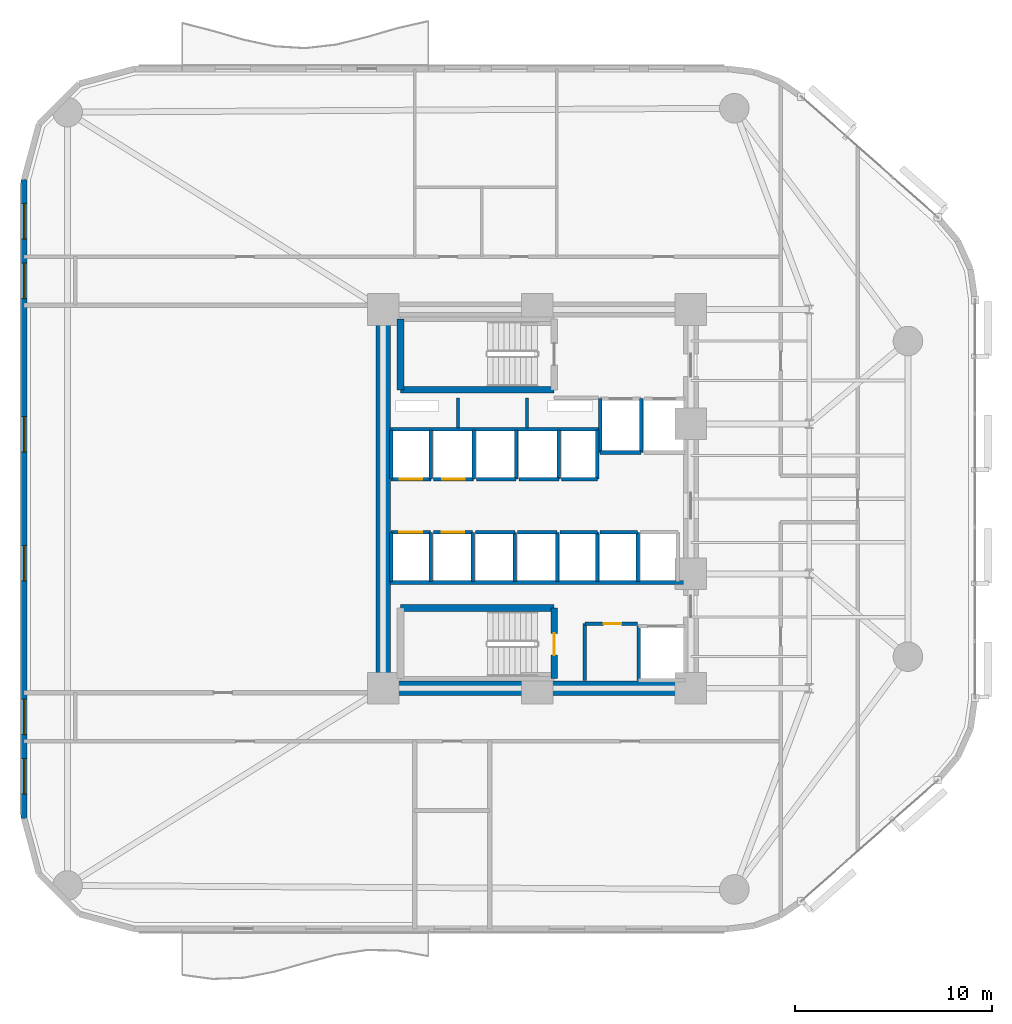
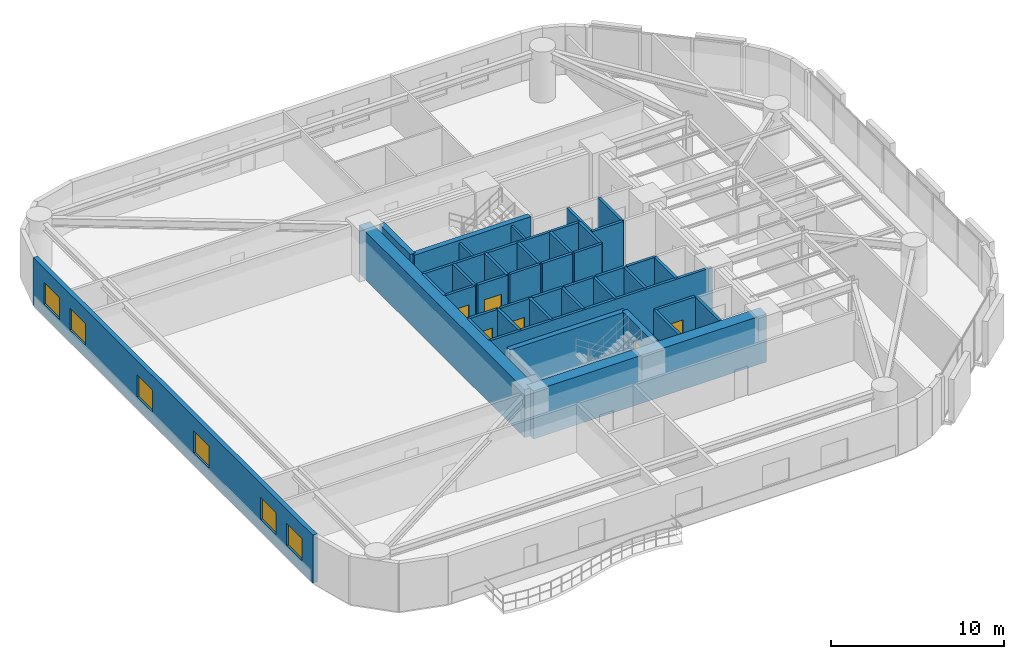
# One storey, part 10 of 15: 41 walls, 6 doors, 6 windows, 12 openings.
"""IFC4 building model written with IfcOpenShell, lengths in metres."""

from ifc_helpers import new_model, si_unit, direction, frame, frame_2d, origin, place, context, subcontext, project, spatial, rectangle, extrude, material, layer, layer_set, type_object, element, fill, save


model = new_model("IFC4")

# Units and contexts
model_context = context("Model", 3, precision=1e-05, world=origin(), true_north=direction((0.0, 1.0)))
body_context = subcontext(model_context, "Body", "Model", "MODEL_VIEW")
ifc_project = project(units=[si_unit("LENGTHUNIT", "METRE"), si_unit("AREAUNIT", "SQUARE_METRE"), si_unit("VOLUMEUNIT", "CUBIC_METRE"), si_unit("PLANEANGLEUNIT", "RADIAN"), si_unit("MASSUNIT", "GRAM", prefix="KILO")], contexts=[model_context])

# Site, building, storey
site_placement = place(None, origin())
site = spatial("IfcSite", under=ifc_project, at=site_placement, CompositionType="ELEMENT")
building_placement = place(site_placement, origin())
building = spatial("IfcBuilding", under=site, at=building_placement, Name="An Khanh Terracotta Commons", CompositionType="ELEMENT")
storey_placement = place(building_placement, frame((0.0, 0.0, 64.800048828125)))
storey = spatial("IfcBuildingStorey", under=building, at=storey_placement, Name="L17", CompositionType="ELEMENT", Elevation=64.800048828125)

# Walls
ifc_material_1 = material(Name="Concrete C70/85", Category="concrete")
ifc_layer_1 = layer(ifc_material_1, 0.75, Name="Concrete C70/85")
ifc_layer_set_1 = layer_set([ifc_layer_1], Name="Concrete C70/85")
wall_type_1 = type_object("IfcWallType", Name="WALL-CORE-750", PredefinedType="SHEAR", material=ifc_layer_set_1)
wall_1_placement = place(storey_placement, frame((21.60009765625, 14.39990234375, 0.0), z_axis=(0.0, 0.0, 1.0), x_axis=(0.0, 1.0, 0.0)))
element("IfcWall", 1, at=wall_1_placement, inside=storey, type_object=wall_type_1, Name="L17 Core Wall CWALL-L17-W", PredefinedType="SHEAR", context=body_context, shape_type="SweptSolid", body=[
    extrude(rectangle(XDim=19.2001953125, YDim=0.75, at=frame_2d((9.60009765625, 0.0))), origin(), (0.0, 0.0, 1.0), 3.39990234375),
])
wall_2_placement = place(storey_placement, frame((37.199951171875, 14.39990234375, 0.0), z_axis=(0.0, 0.0, 1.0), x_axis=(-1.0, 0.0, 0.0)))
element("IfcWall", 2, at=wall_2_placement, inside=storey, type_object=wall_type_1, Name="L17 Core Wall CWALL-L17-S", PredefinedType="SHEAR", context=body_context, shape_type="SweptSolid", body=[
    extrude(rectangle(XDim=15.599853515625, YDim=0.75, at=frame_2d((7.7998046875, 0.0))), origin(), (0.0, 0.0, 1.0), 3.39990234375),
])
ifc_material_2 = material(Name="Fire-Rated Gypsum Board on Steel Stud", Category="steel")
ifc_layer_2 = layer(ifc_material_2, 0.179931640625, Name="Fire-Rated Gypsum Board on Steel Stud")
ifc_layer_set_2 = layer_set([ifc_layer_2], Name="Fire-Rated Gypsum Board on Steel Stud")
wall_type_2 = type_object("IfcWallType", Name="WALL-CORR-180", PredefinedType="PARTITIONING", material=ifc_layer_set_2)
wall_3_placement = place(storey_placement, frame((21.949951171875, 27.5400390625, 0.0), z_axis=(0.0, 0.0, 1.0), x_axis=(1.0, 0.0, 0.0)))
element("IfcWall", 3, at=wall_3_placement, inside=storey, type_object=wall_type_2, Name="L17 Core Wall RSRW-L17-S", PredefinedType="PARTITIONING", context=body_context, shape_type="SweptSolid", body=[
    extrude(rectangle(XDim=10.56005859375, YDim=0.179931640625, at=frame_2d((5.280029296875, 0.0))), origin(), (0.0, 0.0, 1.0), 3.39990234375),
])
wall_4_placement = place(storey_placement, frame((21.949951171875, 19.760009765625, 0.0), z_axis=(0.0, 0.0, 1.0), x_axis=(1.0, 0.0, 0.0)))
element("IfcWall", 4, at=wall_4_placement, inside=storey, type_object=wall_type_2, Name="L17 Core Wall SVW-L17-N", PredefinedType="PARTITIONING", context=body_context, shape_type="SweptSolid", body=[
    extrude(rectangle(XDim=14.8701171875, YDim=0.179931640625, at=frame_2d((7.43505859375, 0.0))), origin(), (0.0, 0.0, 1.0), 3.39990234375),
])

# Wall, opening, door
wall_5_placement = place(storey_placement, frame((31.820068359375, 17.679931640625, 0.0), z_axis=(0.0, 0.0, 1.0), x_axis=(1.0, 0.0, 0.0)))
wall_5 = element("IfcWall", 5, at=wall_5_placement, inside=storey, type_object=wall_type_2, Name="L17 Core Wall SSVCW-L17-N", PredefinedType="PARTITIONING", context=body_context, shape_type="SweptSolid", body=[
    extrude(rectangle(XDim=2.659912109375, YDim=0.179931640625, at=frame_2d((1.330078125, 0.0))), origin(), (0.0, 0.0, 1.0), 3.39990234375),
])
opening_1_placement = place(wall_5_placement, frame((0.949951171875, 0.0, 0.0)))
opening_1 = element("IfcOpeningElement", 6, at=opening_1_placement, cuts=wall_5, Name="Opening D-SV", PredefinedType="OPENING", context=body_context, shape_type="SweptSolid", body=[
    extrude(rectangle(XDim=0.89990234375, YDim=2.050048828125, at=frame_2d((0.449951171875, 1.02490234375))), frame((0.0, 0.099853515625, 0.0), z_axis=(0.0, -1.0, 0.0), x_axis=(1.0, 0.0, 0.0)), (0.0, 0.0, 1.0), 0.199951171875),
])
ifc_material_3 = material(Name="Fire-Rated Powder-Coated Steel Door", Category="steel")
door_type_1 = type_object("IfcDoorType", Name="DOOR-SERV-900", OperationType="NOTDEFINED", PredefinedType="DOOR", material=ifc_material_3)
door_1_placement = place(opening_1_placement, origin())
door_1 = element("IfcDoor", 7, at=door_1_placement, inside=storey, type_object=door_type_1, Name="L17 Core Housekeeping Store Door", OperationType="SINGLE_SWING_RIGHT", OverallHeight=2.050048828125, OverallWidth=0.89990234375, PredefinedType="DOOR", context=body_context, shape_type="SweptSolid", body=[
    extrude(rectangle(XDim=0.89990234375, YDim=2.050048828125, at=frame_2d((0.449951171875, 1.02490234375))), frame((0.0, 0.02490234375, 0.0), z_axis=(0.0, -1.0, 0.0), x_axis=(1.0, 0.0, 0.0)), (0.0, 0.0, 1.0), 0.050048828125),
])
fill(opening_1, door_1)

# Walls
wall_6_placement = place(storey_placement, frame((31.820068359375, 14.800048828125, 0.0), z_axis=(0.0, 0.0, 1.0), x_axis=(0.0, 1.0, 0.0)))
element("IfcWall", 8, at=wall_6_placement, inside=storey, type_object=wall_type_2, Name="L17 Core Wall SSVCW-L17-W", PredefinedType="PARTITIONING", context=body_context, shape_type="SweptSolid", body=[
    extrude(rectangle(XDim=2.8798828125, YDim=0.179931640625, at=frame_2d((1.43994140625, 0.0))), origin(), (0.0, 0.0, 1.0), 3.39990234375),
])
wall_7_placement = place(storey_placement, frame((34.679931640625, 26.35009765625, 0.0), z_axis=(0.0, 0.0, 1.0), x_axis=(-1.0, 0.0, 0.0)))
element("IfcWall", 9, at=wall_7_placement, inside=storey, type_object=wall_type_2, Name="L17 Core Wall LSH-L17-FFL-01-S", PredefinedType="PARTITIONING", context=body_context, shape_type="SweptSolid", body=[
    extrude(rectangle(XDim=2.079833984375, YDim=0.179931640625, at=frame_2d((1.0400390625, 0.0))), origin(), (0.0, 0.0, 1.0), 3.39990234375),
])
for number, where, z_axis, x_axis, name in (
    (10, (34.679931640625, 26.35009765625, 0.0), (0.0, 0.0, 1.0), (0.0, 1.0, 0.0), "L17 Core Wall LSH-L17-FFL-01-E"),
    (11, (32.60009765625, 29.080078125, 0.0), (0.0, 0.0, 1.0), (0.0, -1.0, 0.0), "L17 Core Wall LSH-L17-FFL-01-W"),
):
    element("IfcWall", number, at=place(storey_placement, frame(where, z_axis=z_axis, x_axis=x_axis)), inside=storey, type_object=wall_type_2, Name=name, PredefinedType="PARTITIONING", context=body_context, shape_type="SweptSolid", body=[
        extrude(rectangle(XDim=2.72998046875, YDim=0.179931640625, at=frame_2d((1.364990234375, 0.0))), origin(), (0.0, 0.0, 1.0), 3.39990234375),
    ])
wall_8_placement = place(storey_placement, frame((34.550048828125, 17.550048828125, 0.0), z_axis=(0.0, 0.0, 1.0), x_axis=(0.0, -1.0, 0.0)))
element("IfcWall", 12, at=wall_8_placement, inside=storey, type_object=wall_type_2, Name="L17 Core Wall LSH-L17-SVL-01-W", PredefinedType="PARTITIONING", context=body_context, shape_type="SweptSolid", body=[
    extrude(rectangle(XDim=2.75, YDim=0.179931640625, at=frame_2d((1.375, 0.0))), origin(), (0.0, 0.0, 1.0), 3.39990234375),
])

# Wall, opening, door
wall_9_placement = place(storey_placement, frame((24.02001953125, 25.0, 0.0), z_axis=(0.0, 0.0, 1.0), x_axis=(-1.0, 0.0, 0.0)))
wall_9 = element("IfcWall", 13, at=wall_9_placement, inside=storey, type_object=wall_type_2, Name="L17 Core Wall LSH-L17-PL-L1-S", PredefinedType="PARTITIONING", context=body_context, shape_type="SweptSolid", body=[
    extrude(rectangle(XDim=2.02001953125, YDim=0.179931640625, at=frame_2d((1.010009765625, 0.0))), origin(), (0.0, 0.0, 1.0), 3.39990234375),
])
opening_2_placement = place(wall_9_placement, frame((0.43505859375, 0.0, 0.0)))
opening_2 = element("IfcOpeningElement", 14, at=opening_2_placement, cuts=wall_9, Name="Opening LD-PL-L1-L17", PredefinedType="OPENING", context=body_context, shape_type="SweptSolid", body=[
    extrude(rectangle(XDim=1.14990234375, YDim=2.199951171875, at=frame_2d((0.574951171875, 1.10009765625))), frame((0.0, 0.099853515625, 0.0), z_axis=(0.0, -1.0, 0.0), x_axis=(1.0, 0.0, 0.0)), (0.0, 0.0, 1.0), 0.199951171875),
])
ifc_material_4 = material(Name="Brushed Stainless Steel Passenger Landing Door", Category="steel")
door_type_2 = type_object("IfcDoorType", Name="DOOR-LD-PAX-1150", OperationType="NOTDEFINED", PredefinedType="DOOR", material=ifc_material_4)
door_2_placement = place(opening_2_placement, origin())
door_2 = element("IfcDoor", 15, at=door_2_placement, inside=storey, type_object=door_type_2, Name="L17 Lift PL-L1 Sliding Landing Door", OperationType="DOUBLE_DOOR_SLIDING", OverallHeight=2.199951171875, OverallWidth=1.14990234375, PredefinedType="DOOR", context=body_context, shape_type="SweptSolid", body=[
    extrude(rectangle(XDim=1.14990234375, YDim=2.199951171875, at=frame_2d((0.574951171875, 1.10009765625))), frame((0.0, 0.02490234375, 0.0), z_axis=(0.0, -1.0, 0.0), x_axis=(1.0, 0.0, 0.0)), (0.0, 0.0, 1.0), 0.050048828125),
])
fill(opening_2, door_2)

# Walls
for number, where, z_axis, x_axis, name in (
    (16, (24.02001953125, 25.0, 0.0), (0.0, 0.0, 1.0), (0.0, 1.0, 0.0), "L17 Core Wall LSH-L17-PL-L1-E"),
    (17, (22.0, 27.5, 0.0), (0.0, 0.0, 1.0), (0.0, -1.0, 0.0), "L17 Core Wall LSH-L17-PL-L1-W"),
):
    element("IfcWall", number, at=place(storey_placement, frame(where, z_axis=z_axis, x_axis=x_axis)), inside=storey, type_object=wall_type_2, Name=name, PredefinedType="PARTITIONING", context=body_context, shape_type="SweptSolid", body=[
        extrude(rectangle(XDim=2.5, YDim=0.179931640625, at=frame_2d((1.25, 0.0))), origin(), (0.0, 0.0, 1.0), 3.39990234375),
    ])

# Wall, opening, door
wall_10_placement = place(storey_placement, frame((26.179931640625, 25.0, 0.0), z_axis=(0.0, 0.0, 1.0), x_axis=(-1.0, 0.0, 0.0)))
wall_10 = element("IfcWall", 18, at=wall_10_placement, inside=storey, type_object=wall_type_2, Name="L17 Core Wall LSH-L17-PL-L2-S", PredefinedType="PARTITIONING", context=body_context, shape_type="SweptSolid", body=[
    extrude(rectangle(XDim=2.02001953125, YDim=0.179931640625, at=frame_2d((1.010009765625, 0.0))), origin(), (0.0, 0.0, 1.0), 3.39990234375),
])
opening_3_placement = place(wall_10_placement, frame((0.43505859375, 0.0, 0.0)))
opening_3 = element("IfcOpeningElement", 19, at=opening_3_placement, cuts=wall_10, Name="Opening LD-PL-L2-L17", PredefinedType="OPENING", context=body_context, shape_type="SweptSolid", body=[
    extrude(rectangle(XDim=1.14990234375, YDim=2.199951171875, at=frame_2d((0.574951171875, 1.10009765625))), frame((0.0, 0.099853515625, 0.0), z_axis=(0.0, -1.0, 0.0), x_axis=(1.0, 0.0, 0.0)), (0.0, 0.0, 1.0), 0.199951171875),
])
door_3_placement = place(opening_3_placement, origin())
door_3 = element("IfcDoor", 20, at=door_3_placement, inside=storey, type_object=door_type_2, Name="L17 Lift PL-L2 Sliding Landing Door", OperationType="DOUBLE_DOOR_SLIDING", OverallHeight=2.199951171875, OverallWidth=1.14990234375, PredefinedType="DOOR", context=body_context, shape_type="SweptSolid", body=[
    extrude(rectangle(XDim=1.14990234375, YDim=2.199951171875, at=frame_2d((0.574951171875, 1.10009765625))), frame((0.0, 0.02490234375, 0.0), z_axis=(0.0, -1.0, 0.0), x_axis=(1.0, 0.0, 0.0)), (0.0, 0.0, 1.0), 0.050048828125),
])
fill(opening_3, door_3)

# Wall
wall_11_placement = place(storey_placement, frame((26.179931640625, 25.0, 0.0), z_axis=(0.0, 0.0, 1.0), x_axis=(0.0, 1.0, 0.0)))
element("IfcWall", 21, at=wall_11_placement, inside=storey, type_object=wall_type_2, Name="L17 Core Wall LSH-L17-PL-L2-E", PredefinedType="PARTITIONING", context=body_context, shape_type="SweptSolid", body=[
    extrude(rectangle(XDim=2.5, YDim=0.179931640625, at=frame_2d((1.25, 0.0))), origin(), (0.0, 0.0, 1.0), 3.39990234375),
])

# Wall, opening, door
wall_12_placement = place(storey_placement, frame((22.0, 22.300048828125, 0.0), z_axis=(0.0, 0.0, 1.0), x_axis=(1.0, 0.0, 0.0)))
wall_12 = element("IfcWall", 22, at=wall_12_placement, inside=storey, type_object=wall_type_2, Name="L17 Core Wall LSH-L17-PL-L3-N", PredefinedType="PARTITIONING", context=body_context, shape_type="SweptSolid", body=[
    extrude(rectangle(XDim=2.0, YDim=0.179931640625, at=frame_2d((1.0, 0.0))), origin(), (0.0, 0.0, 1.0), 3.39990234375),
])
opening_4_placement = place(wall_12_placement, frame((0.425048828125, 0.0, 0.0)))
opening_4 = element("IfcOpeningElement", 23, at=opening_4_placement, cuts=wall_12, Name="Opening LD-PL-L3-L17", PredefinedType="OPENING", context=body_context, shape_type="SweptSolid", body=[
    extrude(rectangle(XDim=1.14990234375, YDim=2.199951171875, at=frame_2d((0.574951171875, 1.10009765625))), frame((0.0, 0.099853515625, 0.0), z_axis=(0.0, -1.0, 0.0), x_axis=(1.0, 0.0, 0.0)), (0.0, 0.0, 1.0), 0.199951171875),
])
door_4_placement = place(opening_4_placement, origin())
door_4 = element("IfcDoor", 24, at=door_4_placement, inside=storey, type_object=door_type_2, Name="L17 Lift PL-L3 Sliding Landing Door", OperationType="DOUBLE_DOOR_SLIDING", OverallHeight=2.199951171875, OverallWidth=1.14990234375, PredefinedType="DOOR", context=body_context, shape_type="SweptSolid", body=[
    extrude(rectangle(XDim=1.14990234375, YDim=2.199951171875, at=frame_2d((0.574951171875, 1.10009765625))), frame((0.0, 0.02490234375, 0.0), z_axis=(0.0, -1.0, 0.0), x_axis=(1.0, 0.0, 0.0)), (0.0, 0.0, 1.0), 0.050048828125),
])
fill(opening_4, door_4)

# Walls
for number, where, z_axis, x_axis, name in (
    (25, (24.0, 19.800048828125, 0.0), (0.0, 0.0, 1.0), (0.0, 1.0, 0.0), "L17 Core Wall LSH-L17-PL-L3-E"),
    (26, (22.0, 22.300048828125, 0.0), (0.0, 0.0, 1.0), (0.0, -1.0, 0.0), "L17 Core Wall LSH-L17-PL-L3-W"),
):
    element("IfcWall", number, at=place(storey_placement, frame(where, z_axis=z_axis, x_axis=x_axis)), inside=storey, type_object=wall_type_2, Name=name, PredefinedType="PARTITIONING", context=body_context, shape_type="SweptSolid", body=[
        extrude(rectangle(XDim=2.5, YDim=0.179931640625, at=frame_2d((1.25, 0.0))), origin(), (0.0, 0.0, 1.0), 3.39990234375),
    ])

# Wall, opening, door
wall_13_placement = place(storey_placement, frame((24.139892578125, 22.300048828125, 0.0), z_axis=(0.0, 0.0, 1.0), x_axis=(1.0, 0.0, 0.0)))
wall_13 = element("IfcWall", 27, at=wall_13_placement, inside=storey, type_object=wall_type_2, Name="L17 Core Wall LSH-L17-PL-L4-N", PredefinedType="PARTITIONING", context=body_context, shape_type="SweptSolid", body=[
    extrude(rectangle(XDim=2.0, YDim=0.179931640625, at=frame_2d((1.0, 0.0))), origin(), (0.0, 0.0, 1.0), 3.39990234375),
])
opening_5_placement = place(wall_13_placement, frame((0.425048828125, 0.0, 0.0)))
opening_5 = element("IfcOpeningElement", 28, at=opening_5_placement, cuts=wall_13, Name="Opening LD-PL-L4-L17", PredefinedType="OPENING", context=body_context, shape_type="SweptSolid", body=[
    extrude(rectangle(XDim=1.14990234375, YDim=2.199951171875, at=frame_2d((0.574951171875, 1.10009765625))), frame((0.0, 0.099853515625, 0.0), z_axis=(0.0, -1.0, 0.0), x_axis=(1.0, 0.0, 0.0)), (0.0, 0.0, 1.0), 0.199951171875),
])
door_5_placement = place(opening_5_placement, origin())
door_5 = element("IfcDoor", 29, at=door_5_placement, inside=storey, type_object=door_type_2, Name="L17 Lift PL-L4 Sliding Landing Door", OperationType="DOUBLE_DOOR_SLIDING", OverallHeight=2.199951171875, OverallWidth=1.14990234375, PredefinedType="DOOR", context=body_context, shape_type="SweptSolid", body=[
    extrude(rectangle(XDim=1.14990234375, YDim=2.199951171875, at=frame_2d((0.574951171875, 1.10009765625))), frame((0.0, 0.02490234375, 0.0), z_axis=(0.0, -1.0, 0.0), x_axis=(1.0, 0.0, 0.0)), (0.0, 0.0, 1.0), 0.050048828125),
])
fill(opening_5, door_5)

# Walls
wall_14_placement = place(storey_placement, frame((26.139892578125, 19.800048828125, 0.0), z_axis=(0.0, 0.0, 1.0), x_axis=(0.0, 1.0, 0.0)))
element("IfcWall", 30, at=wall_14_placement, inside=storey, type_object=wall_type_2, Name="L17 Core Wall LSH-L17-PL-L4-E", PredefinedType="PARTITIONING", context=body_context, shape_type="SweptSolid", body=[
    extrude(rectangle(XDim=2.5, YDim=0.179931640625, at=frame_2d((1.25, 0.0))), origin(), (0.0, 0.0, 1.0), 3.39990234375),
])
wall_15_placement = place(storey_placement, frame((28.340087890625, 25.0, 0.0), z_axis=(0.0, 0.0, 1.0), x_axis=(-1.0, 0.0, 0.0)))
element("IfcWall", 31, at=wall_15_placement, inside=storey, type_object=wall_type_2, Name="L17 Core Wall LSH-L17-PL-M1-S", PredefinedType="PARTITIONING", context=body_context, shape_type="SweptSolid", body=[
    extrude(rectangle(XDim=2.02001953125, YDim=0.179931640625, at=frame_2d((1.010009765625, 0.0))), origin(), (0.0, 0.0, 1.0), 3.39990234375),
])
wall_16_placement = place(storey_placement, frame((28.340087890625, 25.0, 0.0), z_axis=(0.0, 0.0, 1.0), x_axis=(0.0, 1.0, 0.0)))
element("IfcWall", 32, at=wall_16_placement, inside=storey, type_object=wall_type_2, Name="L17 Core Wall LSH-L17-PL-M1-E", PredefinedType="PARTITIONING", context=body_context, shape_type="SweptSolid", body=[
    extrude(rectangle(XDim=2.5, YDim=0.179931640625, at=frame_2d((1.25, 0.0))), origin(), (0.0, 0.0, 1.0), 3.39990234375),
])
wall_17_placement = place(storey_placement, frame((30.5, 25.0, 0.0), z_axis=(0.0, 0.0, 1.0), x_axis=(-1.0, 0.0, 0.0)))
element("IfcWall", 33, at=wall_17_placement, inside=storey, type_object=wall_type_2, Name="L17 Core Wall LSH-L17-PL-M2-S", PredefinedType="PARTITIONING", context=body_context, shape_type="SweptSolid", body=[
    extrude(rectangle(XDim=2.02001953125, YDim=0.179931640625, at=frame_2d((1.010009765625, 0.0))), origin(), (0.0, 0.0, 1.0), 3.39990234375),
])
wall_18_placement = place(storey_placement, frame((30.5, 25.0, 0.0), z_axis=(0.0, 0.0, 1.0), x_axis=(0.0, 1.0, 0.0)))
element("IfcWall", 34, at=wall_18_placement, inside=storey, type_object=wall_type_2, Name="L17 Core Wall LSH-L17-PL-M2-E", PredefinedType="PARTITIONING", context=body_context, shape_type="SweptSolid", body=[
    extrude(rectangle(XDim=2.5, YDim=0.179931640625, at=frame_2d((1.25, 0.0))), origin(), (0.0, 0.0, 1.0), 3.39990234375),
])
wall_19_placement = place(storey_placement, frame((26.280029296875, 22.300048828125, 0.0), z_axis=(0.0, 0.0, 1.0), x_axis=(1.0, 0.0, 0.0)))
element("IfcWall", 35, at=wall_19_placement, inside=storey, type_object=wall_type_2, Name="L17 Core Wall LSH-L17-PL-M3-N", PredefinedType="PARTITIONING", context=body_context, shape_type="SweptSolid", body=[
    extrude(rectangle(XDim=2.0, YDim=0.179931640625, at=frame_2d((1.0, 0.0))), origin(), (0.0, 0.0, 1.0), 3.39990234375),
])
wall_20_placement = place(storey_placement, frame((28.280029296875, 19.800048828125, 0.0), z_axis=(0.0, 0.0, 1.0), x_axis=(0.0, 1.0, 0.0)))
element("IfcWall", 36, at=wall_20_placement, inside=storey, type_object=wall_type_2, Name="L17 Core Wall LSH-L17-PL-M3-E", PredefinedType="PARTITIONING", context=body_context, shape_type="SweptSolid", body=[
    extrude(rectangle(XDim=2.5, YDim=0.179931640625, at=frame_2d((1.25, 0.0))), origin(), (0.0, 0.0, 1.0), 3.39990234375),
])
wall_21_placement = place(storey_placement, frame((28.419921875, 22.300048828125, 0.0), z_axis=(0.0, 0.0, 1.0), x_axis=(1.0, 0.0, 0.0)))
element("IfcWall", 37, at=wall_21_placement, inside=storey, type_object=wall_type_2, Name="L17 Core Wall LSH-L17-PL-M4-N", PredefinedType="PARTITIONING", context=body_context, shape_type="SweptSolid", body=[
    extrude(rectangle(XDim=2.0, YDim=0.179931640625, at=frame_2d((1.0, 0.0))), origin(), (0.0, 0.0, 1.0), 3.39990234375),
])
wall_22_placement = place(storey_placement, frame((30.419921875, 19.800048828125, 0.0), z_axis=(0.0, 0.0, 1.0), x_axis=(0.0, 1.0, 0.0)))
element("IfcWall", 38, at=wall_22_placement, inside=storey, type_object=wall_type_2, Name="L17 Core Wall LSH-L17-PL-M4-E", PredefinedType="PARTITIONING", context=body_context, shape_type="SweptSolid", body=[
    extrude(rectangle(XDim=2.5, YDim=0.179931640625, at=frame_2d((1.25, 0.0))), origin(), (0.0, 0.0, 1.0), 3.39990234375),
])
wall_23_placement = place(storey_placement, frame((32.4599609375, 25.0, 0.0), z_axis=(0.0, 0.0, 1.0), x_axis=(-1.0, 0.0, 0.0)))
element("IfcWall", 39, at=wall_23_placement, inside=storey, type_object=wall_type_2, Name="L17 Core Wall LSH-L17-PL-H1-S", PredefinedType="PARTITIONING", context=body_context, shape_type="SweptSolid", body=[
    extrude(rectangle(XDim=1.820068359375, YDim=0.179931640625, at=frame_2d((0.91015625, 0.0))), origin(), (0.0, 0.0, 1.0), 3.39990234375),
])
wall_24_placement = place(storey_placement, frame((32.4599609375, 25.0, 0.0), z_axis=(0.0, 0.0, 1.0), x_axis=(0.0, 1.0, 0.0)))
element("IfcWall", 40, at=wall_24_placement, inside=storey, type_object=wall_type_2, Name="L17 Core Wall LSH-L17-PL-H1-E", PredefinedType="PARTITIONING", context=body_context, shape_type="SweptSolid", body=[
    extrude(rectangle(XDim=2.5, YDim=0.179931640625, at=frame_2d((1.25, 0.0))), origin(), (0.0, 0.0, 1.0), 3.39990234375),
])
wall_25_placement = place(storey_placement, frame((30.56005859375, 22.300048828125, 0.0), z_axis=(0.0, 0.0, 1.0), x_axis=(1.0, 0.0, 0.0)))
element("IfcWall", 41, at=wall_25_placement, inside=storey, type_object=wall_type_2, Name="L17 Core Wall LSH-L17-PL-H2-N", PredefinedType="PARTITIONING", context=body_context, shape_type="SweptSolid", body=[
    extrude(rectangle(XDim=1.89990234375, YDim=0.179931640625, at=frame_2d((0.949951171875, 0.0))), origin(), (0.0, 0.0, 1.0), 3.39990234375),
])
wall_26_placement = place(storey_placement, frame((32.4599609375, 19.800048828125, 0.0), z_axis=(0.0, 0.0, 1.0), x_axis=(0.0, 1.0, 0.0)))
element("IfcWall", 42, at=wall_26_placement, inside=storey, type_object=wall_type_2, Name="L17 Core Wall LSH-L17-PL-H2-E", PredefinedType="PARTITIONING", context=body_context, shape_type="SweptSolid", body=[
    extrude(rectangle(XDim=2.5, YDim=0.179931640625, at=frame_2d((1.25, 0.0))), origin(), (0.0, 0.0, 1.0), 3.39990234375),
])
wall_27_placement = place(storey_placement, frame((32.60009765625, 22.300048828125, 0.0), z_axis=(0.0, 0.0, 1.0), x_axis=(1.0, 0.0, 0.0)))
element("IfcWall", 43, at=wall_27_placement, inside=storey, type_object=wall_type_2, Name="L17 Core Wall LSH-L17-PL-H3-N", PredefinedType="PARTITIONING", context=body_context, shape_type="SweptSolid", body=[
    extrude(rectangle(XDim=1.89990234375, YDim=0.179931640625, at=frame_2d((0.949951171875, 0.0))), origin(), (0.0, 0.0, 1.0), 3.39990234375),
])
wall_28_placement = place(storey_placement, frame((34.5, 19.800048828125, 0.0), z_axis=(0.0, 0.0, 1.0), x_axis=(0.0, 1.0, 0.0)))
element("IfcWall", 44, at=wall_28_placement, inside=storey, type_object=wall_type_2, Name="L17 Core Wall LSH-L17-PL-H3-E", PredefinedType="PARTITIONING", context=body_context, shape_type="SweptSolid", body=[
    extrude(rectangle(XDim=2.5, YDim=0.179931640625, at=frame_2d((1.25, 0.0))), origin(), (0.0, 0.0, 1.0), 3.39990234375),
])

# Wall, openings, windows
ifc_material_5 = material(Name="Precast concrete C40/50", Category="concrete")
ifc_layer_3 = layer(ifc_material_5, 0.300048828125, Name="Precast concrete C40/50")
ifc_layer_set_3 = layer_set([ifc_layer_3], Name="Precast concrete C40/50")
wall_type_3 = type_object("IfcWallType", Name="WALL-EXT-300", PredefinedType="SOLIDWALL", material=ifc_layer_set_3)
wall_29_placement = place(storey_placement, frame((3.39990234375, 40.199951171875, 0.0), z_axis=(0.0, 0.0, 1.0), x_axis=(0.0, -1.0, 0.0)))
wall_29 = element("IfcWall", 45, at=wall_29_placement, inside=storey, type_object=wall_type_3, Name="L17 Insulated Terracotta Exterior Wall 24", PredefinedType="SOLIDWALL", context=body_context, shape_type="SweptSolid", body=[
    extrude(rectangle(XDim=32.39990234375, YDim=0.300048828125, at=frame_2d((16.199951171875, 0.0))), origin(), (0.0, 0.0, 1.0), 3.39990234375),
])
opening_6_placement = place(wall_29_placement, frame((1.235107421875, 0.0, 0.85009765625)))
opening_6 = element("IfcOpeningElement", 46, at=opening_6_placement, cuts=wall_29, Name="Opening W-01", PredefinedType="OPENING", context=body_context, shape_type="SweptSolid", body=[
    extrude(rectangle(XDim=1.800048828125, YDim=1.550048828125, at=frame_2d((0.89990234375, 0.77490234375))), frame((0.0, 0.159912109375, 0.0), z_axis=(0.0, -1.0, 0.0), x_axis=(1.0, 0.0, 0.0)), (0.0, 0.0, 1.0), 0.320068359375),
])
opening_7_placement = place(wall_29_placement, frame((4.25, 0.0, 0.85009765625)))
opening_7 = element("IfcOpeningElement", 47, at=opening_7_placement, cuts=wall_29, Name="Opening W-01", PredefinedType="OPENING", context=body_context, shape_type="SweptSolid", body=[
    extrude(rectangle(XDim=1.800048828125, YDim=1.550048828125, at=frame_2d((0.89990234375, 0.77490234375))), frame((0.0, 0.159912109375, 0.0), z_axis=(0.0, -1.0, 0.0), x_axis=(1.0, 0.0, 0.0)), (0.0, 0.0, 1.0), 0.320068359375),
])
opening_8_placement = place(wall_29_placement, frame((12.027099609375, 0.0, 0.85009765625)))
opening_8 = element("IfcOpeningElement", 48, at=opening_8_placement, cuts=wall_29, Name="Opening W-01", PredefinedType="OPENING", context=body_context, shape_type="SweptSolid", body=[
    extrude(rectangle(XDim=1.800048828125, YDim=1.550048828125, at=frame_2d((0.89990234375, 0.77490234375))), frame((0.0, 0.159912109375, 0.0), z_axis=(0.0, -1.0, 0.0), x_axis=(1.0, 0.0, 0.0)), (0.0, 0.0, 1.0), 0.320068359375),
])
opening_9_placement = place(wall_29_placement, frame((18.572998046875, 0.0, 0.85009765625)))
opening_9 = element("IfcOpeningElement", 49, at=opening_9_placement, cuts=wall_29, Name="Opening W-01", PredefinedType="OPENING", context=body_context, shape_type="SweptSolid", body=[
    extrude(rectangle(XDim=1.800048828125, YDim=1.550048828125, at=frame_2d((0.89990234375, 0.77490234375))), frame((0.0, 0.159912109375, 0.0), z_axis=(0.0, -1.0, 0.0), x_axis=(1.0, 0.0, 0.0)), (0.0, 0.0, 1.0), 0.320068359375),
])
opening_10_placement = place(wall_29_placement, frame((26.35009765625, 0.0, 0.85009765625)))
opening_10 = element("IfcOpeningElement", 50, at=opening_10_placement, cuts=wall_29, Name="Opening W-01", PredefinedType="OPENING", context=body_context, shape_type="SweptSolid", body=[
    extrude(rectangle(XDim=1.800048828125, YDim=1.550048828125, at=frame_2d((0.89990234375, 0.77490234375))), frame((0.0, 0.159912109375, 0.0), z_axis=(0.0, -1.0, 0.0), x_axis=(1.0, 0.0, 0.0)), (0.0, 0.0, 1.0), 0.320068359375),
])
opening_11_placement = place(wall_29_placement, frame((29.364990234375, 0.0, 0.85009765625)))
opening_11 = element("IfcOpeningElement", 51, at=opening_11_placement, cuts=wall_29, Name="Opening W-01", PredefinedType="OPENING", context=body_context, shape_type="SweptSolid", body=[
    extrude(rectangle(XDim=1.800048828125, YDim=1.550048828125, at=frame_2d((0.89990234375, 0.77490234375))), frame((0.0, 0.159912109375, 0.0), z_axis=(0.0, -1.0, 0.0), x_axis=(1.0, 0.0, 0.0)), (0.0, 0.0, 1.0), 0.320068359375),
])
ifc_material_6 = material(Name="Thermally Broken Aluminium and Low-E Glass", Category="aluminium")
window_type = type_object("IfcWindowType", Name="WIN-Z1-1800x1550", PartitioningType="DOUBLE_PANEL_VERTICAL", PredefinedType="WINDOW", material=ifc_material_6)
window_1_placement = place(opening_6_placement, origin())
window_1 = element("IfcWindow", 52, at=window_1_placement, inside=storey, type_object=window_type, Name="L17 Operable Casement Window 24.1", OverallHeight=1.550048828125, OverallWidth=1.800048828125, PartitioningType="DOUBLE_PANEL_VERTICAL", PredefinedType="WINDOW", context=body_context, shape_type="SweptSolid", body=[
    extrude(rectangle(XDim=1.800048828125, YDim=1.550048828125, at=frame_2d((0.89990234375, 0.77490234375))), frame((0.0, 0.030029296875, 0.0), z_axis=(0.0, -1.0, 0.0), x_axis=(1.0, 0.0, 0.0)), (0.0, 0.0, 1.0), 0.06005859375),
])
fill(opening_6, window_1)
window_2_placement = place(opening_7_placement, origin())
window_2 = element("IfcWindow", 53, at=window_2_placement, inside=storey, type_object=window_type, Name="L17 Operable Casement Window 24.2", OverallHeight=1.550048828125, OverallWidth=1.800048828125, PartitioningType="DOUBLE_PANEL_VERTICAL", PredefinedType="WINDOW", context=body_context, shape_type="SweptSolid", body=[
    extrude(rectangle(XDim=1.800048828125, YDim=1.550048828125, at=frame_2d((0.89990234375, 0.77490234375))), frame((0.0, 0.030029296875, 0.0), z_axis=(0.0, -1.0, 0.0), x_axis=(1.0, 0.0, 0.0)), (0.0, 0.0, 1.0), 0.06005859375),
])
fill(opening_7, window_2)
window_3_placement = place(opening_8_placement, origin())
window_3 = element("IfcWindow", 54, at=window_3_placement, inside=storey, type_object=window_type, Name="L17 Operable Casement Window 24.3", OverallHeight=1.550048828125, OverallWidth=1.800048828125, PartitioningType="DOUBLE_PANEL_VERTICAL", PredefinedType="WINDOW", context=body_context, shape_type="SweptSolid", body=[
    extrude(rectangle(XDim=1.800048828125, YDim=1.550048828125, at=frame_2d((0.89990234375, 0.77490234375))), frame((0.0, 0.030029296875, 0.0), z_axis=(0.0, -1.0, 0.0), x_axis=(1.0, 0.0, 0.0)), (0.0, 0.0, 1.0), 0.06005859375),
])
fill(opening_8, window_3)
window_4_placement = place(opening_9_placement, origin())
window_4 = element("IfcWindow", 55, at=window_4_placement, inside=storey, type_object=window_type, Name="L17 Operable Casement Window 24.4", OverallHeight=1.550048828125, OverallWidth=1.800048828125, PartitioningType="DOUBLE_PANEL_VERTICAL", PredefinedType="WINDOW", context=body_context, shape_type="SweptSolid", body=[
    extrude(rectangle(XDim=1.800048828125, YDim=1.550048828125, at=frame_2d((0.89990234375, 0.77490234375))), frame((0.0, 0.030029296875, 0.0), z_axis=(0.0, -1.0, 0.0), x_axis=(1.0, 0.0, 0.0)), (0.0, 0.0, 1.0), 0.06005859375),
])
fill(opening_9, window_4)
window_5_placement = place(opening_10_placement, origin())
window_5 = element("IfcWindow", 56, at=window_5_placement, inside=storey, type_object=window_type, Name="L17 Operable Casement Window 24.5", OverallHeight=1.550048828125, OverallWidth=1.800048828125, PartitioningType="DOUBLE_PANEL_VERTICAL", PredefinedType="WINDOW", context=body_context, shape_type="SweptSolid", body=[
    extrude(rectangle(XDim=1.800048828125, YDim=1.550048828125, at=frame_2d((0.89990234375, 0.77490234375))), frame((0.0, 0.030029296875, 0.0), z_axis=(0.0, -1.0, 0.0), x_axis=(1.0, 0.0, 0.0)), (0.0, 0.0, 1.0), 0.06005859375),
])
fill(opening_10, window_5)
window_6_placement = place(opening_11_placement, origin())
window_6 = element("IfcWindow", 57, at=window_6_placement, inside=storey, type_object=window_type, Name="L17 Operable Casement Window 24.6", OverallHeight=1.550048828125, OverallWidth=1.800048828125, PartitioningType="DOUBLE_PANEL_VERTICAL", PredefinedType="WINDOW", context=body_context, shape_type="SweptSolid", body=[
    extrude(rectangle(XDim=1.800048828125, YDim=1.550048828125, at=frame_2d((0.89990234375, 0.77490234375))), frame((0.0, 0.030029296875, 0.0), z_axis=(0.0, -1.0, 0.0), x_axis=(1.0, 0.0, 0.0)), (0.0, 0.0, 1.0), 0.06005859375),
])
fill(opening_11, window_6)

# Walls
ifc_material_7 = material(Name="Acoustic Gypsum Board Partition")
ifc_layer_4 = layer(ifc_material_7, 0.14990234375, Name="Acoustic Gypsum Board Partition")
ifc_layer_set_4 = layer_set([ifc_layer_4], Name="Acoustic Gypsum Board Partition")
wall_type_4 = type_object("IfcWallType", Name="WALL-PART-150", PredefinedType="PARTITIONING", material=ifc_layer_set_4)
for number, where, z_axis, x_axis, name in (
    (58, (25.39990234375, 27.60009765625, 0.0), (0.0, 0.0, 1.0), (0.0, 1.0, 0.0), "L17 Core Wall RSRW-L17-D1"),
    (59, (28.89990234375, 27.60009765625, 0.0), (0.0, 0.0, 1.0), (0.0, 1.0, 0.0), "L17 Core Wall RSRW-L17-D2"),
):
    element("IfcWall", number, at=place(storey_placement, frame(where, z_axis=z_axis, x_axis=x_axis)), inside=storey, type_object=wall_type_4, Name=name, PredefinedType="PARTITIONING", context=body_context, shape_type="SweptSolid", body=[
        extrude(rectangle(XDim=1.52001953125, YDim=0.14990234375, at=frame_2d((0.760009765625, 0.0))), origin(), (0.0, 0.0, 1.0), 3.39990234375),
    ])
ifc_material_8 = material(Name="Concrete C50/60", Category="concrete")
ifc_layer_5 = layer(ifc_material_8, 0.35009765625, Name="Concrete C50/60")
ifc_layer_set_5 = layer_set([ifc_layer_5], Name="Concrete C50/60")
wall_type_5 = type_object("IfcWallType", Name="WALL-SHAFT-350", PredefinedType="SOLIDWALL", material=ifc_layer_set_5)
wall_30_placement = place(storey_placement, frame((22.47998046875, 29.530029296875, 0.0), z_axis=(0.0, 0.0, 1.0), x_axis=(1.0, 0.0, 0.0)))
element("IfcWall", 60, at=wall_30_placement, inside=storey, type_object=wall_type_5, Name="L17 Core Wall STW-L17-N-S", PredefinedType="SOLIDWALL", context=body_context, shape_type="SweptSolid", body=[
    extrude(rectangle(XDim=7.7900390625, YDim=0.35009765625, at=frame_2d((3.89501953125, 0.0))), origin(), (0.0, 0.0, 1.0), 3.39990234375),
])
wall_31_placement = place(storey_placement, frame((22.47998046875, 29.530029296875, 0.0), z_axis=(0.0, 0.0, 1.0), x_axis=(0.0, 1.0, 0.0)))
element("IfcWall", 61, at=wall_31_placement, inside=storey, type_object=wall_type_5, Name="L17 Core Wall STW-L17-N-W", PredefinedType="SOLIDWALL", context=body_context, shape_type="SweptSolid", body=[
    extrude(rectangle(XDim=3.580078125, YDim=0.35009765625, at=frame_2d((1.7900390625, 0.0))), origin(), (0.0, 0.0, 1.0), 3.39990234375),
])
wall_32_placement = place(storey_placement, frame((22.47998046875, 18.469970703125, 0.0), z_axis=(0.0, 0.0, 1.0), x_axis=(1.0, 0.0, 0.0)))
element("IfcWall", 62, at=wall_32_placement, inside=storey, type_object=wall_type_5, Name="L17 Core Wall STW-L17-S-N", PredefinedType="SOLIDWALL", context=body_context, shape_type="SweptSolid", body=[
    extrude(rectangle(XDim=7.7900390625, YDim=0.35009765625, at=frame_2d((3.89501953125, 0.0))), origin(), (0.0, 0.0, 1.0), 3.39990234375),
])

# Wall, opening, door
wall_33_placement = place(storey_placement, frame((30.27001953125, 14.889892578125, 0.0), z_axis=(0.0, 0.0, 1.0), x_axis=(0.0, 1.0, 0.0)))
wall_33 = element("IfcWall", 63, at=wall_33_placement, inside=storey, type_object=wall_type_5, Name="L17 Core Wall STW-L17-S-E", PredefinedType="SOLIDWALL", context=body_context, shape_type="SweptSolid", body=[
    extrude(rectangle(XDim=3.580078125, YDim=0.35009765625, at=frame_2d((1.7900390625, 0.0))), origin(), (0.0, 0.0, 1.0), 3.39990234375),
])
opening_12_placement = place(wall_33_placement, frame((1.18994140625, 0.0, 0.0)))
opening_12 = element("IfcOpeningElement", 64, at=opening_12_placement, cuts=wall_33, Name="Opening D-ST", PredefinedType="OPENING", context=body_context, shape_type="SweptSolid", body=[
    extrude(rectangle(XDim=1.10009765625, YDim=2.14990234375, at=frame_2d((0.550048828125, 1.074951171875))), frame((0.0, 0.18505859375, 0.0), z_axis=(0.0, -1.0, 0.0), x_axis=(1.0, 0.0, 0.0)), (0.0, 0.0, 1.0), 0.3701171875),
])
ifc_material_9 = material(Name="Fire-Rated Steel Leaf and Frame", Category="steel")
door_type_3 = type_object("IfcDoorType", Name="DOOR-STAIR-1100", OperationType="NOTDEFINED", PredefinedType="DOOR", material=ifc_material_9)
door_6_placement = place(opening_12_placement, origin())
door_6 = element("IfcDoor", 65, at=door_6_placement, inside=storey, type_object=door_type_3, Name="L17 Stair ST-02 Fire Door", OperationType="SINGLE_SWING_LEFT", OverallHeight=2.14990234375, OverallWidth=1.10009765625, PredefinedType="DOOR", context=body_context, shape_type="SweptSolid", body=[
    extrude(rectangle(XDim=1.10009765625, YDim=2.14990234375, at=frame_2d((0.550048828125, 1.074951171875))), frame((0.0, 0.02490234375, 0.0), z_axis=(0.0, -1.0, 0.0), x_axis=(1.0, 0.0, 0.0)), (0.0, 0.0, 1.0), 0.050048828125),
])
fill(opening_12, door_6)

save(model, "model.ifc")
